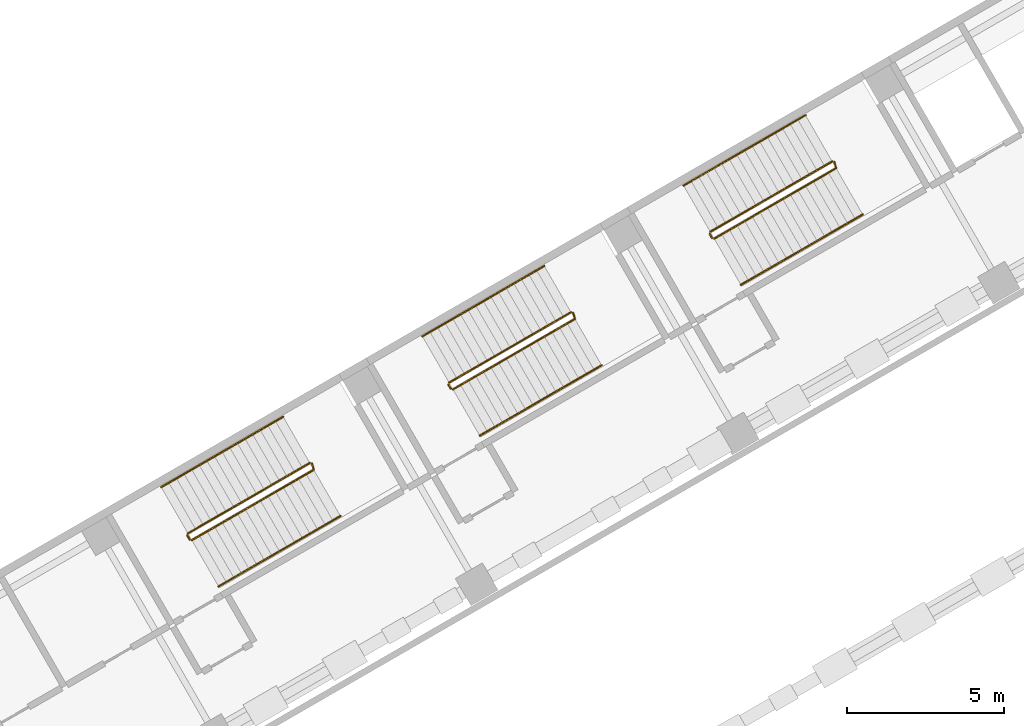
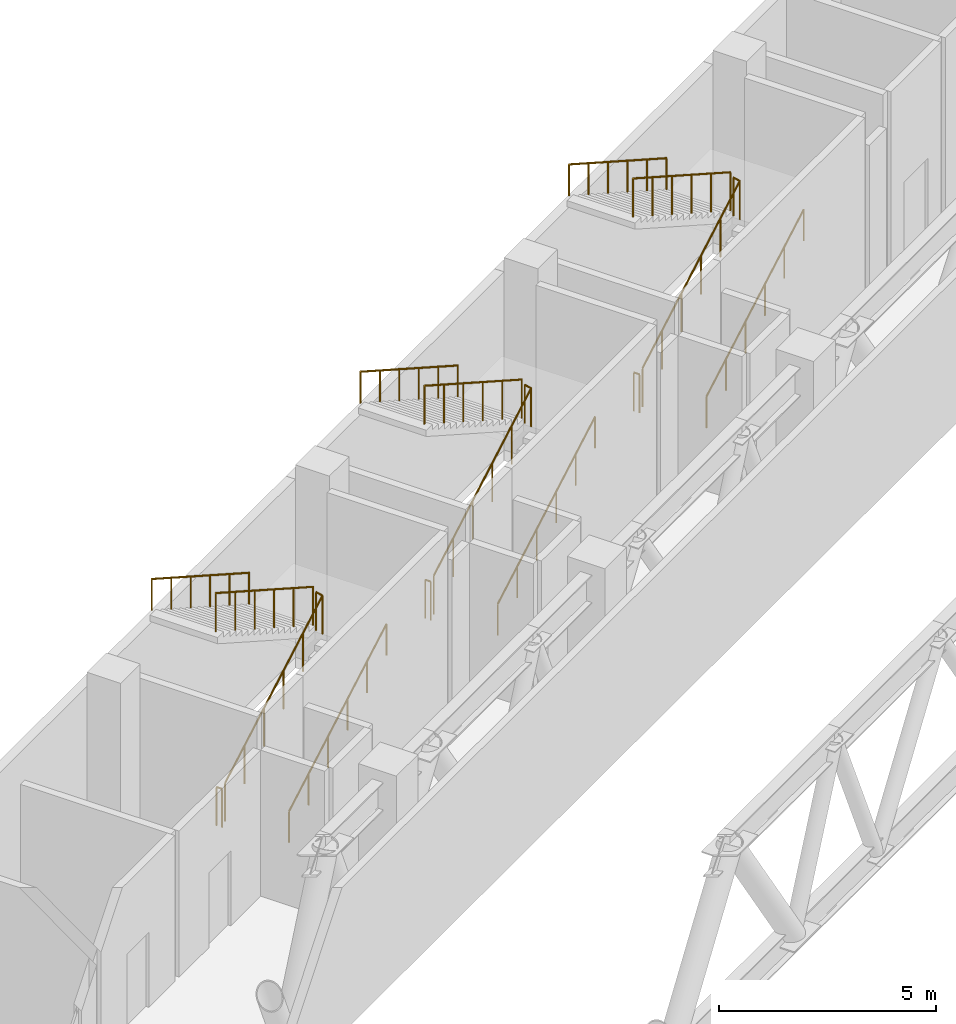
# One storey, part 36 of 37: 15 railings.
"""IFC4 building model written with IfcOpenShell, lengths in metres."""

from ifc_helpers import new_model, si_unit, direction, frame, origin, origin_2d, place, context, subcontext, project, spatial, circle, extrude, material, type_object, element, save


model = new_model("IFC4")

# Units and contexts
model_context = context("Model", 3, precision=1e-05, world=origin(), true_north=direction((0.0, 1.0)))
body_context = subcontext(model_context, "Body", "Model", "MODEL_VIEW")
ifc_project = project(units=[si_unit("LENGTHUNIT", "METRE"), si_unit("AREAUNIT", "SQUARE_METRE"), si_unit("VOLUMEUNIT", "CUBIC_METRE"), si_unit("PLANEANGLEUNIT", "RADIAN"), si_unit("MASSUNIT", "GRAM", prefix="KILO")], contexts=[model_context])

# Site, building, storey
site_placement = place(None, origin())
site = spatial("IfcSite", under=ifc_project, at=site_placement, CompositionType="ELEMENT")
building_placement = place(site_placement, origin())
building = spatial("IfcBuilding", under=site, at=building_placement, Name="Mestral Congress Tower", CompositionType="ELEMENT")
storey_placement = place(building_placement, frame((0.0, 0.0, 16.199951171875)))
storey = spatial("IfcBuildingStorey", under=building, at=storey_placement, Name="L03", CompositionType="ELEMENT", Elevation=16.199951171875)

# Railings
ifc_material_1 = material(Name="Steel balustrade", Category="steel")
railing_type_1 = type_object("IfcRailingType", Name="Podium stair guard 1100", PredefinedType="GUARDRAIL", material=ifc_material_1)
railing_1_placement = place(storey_placement, frame((14.014892578125, 51.681396484375, 0.158935546875)))
element("IfcRailing", 1, at=railing_1_placement, inside=storey, type_object=railing_type_1, Name="L03 PS-E4 stair guard 1", PredefinedType="GUARDRAIL", context=body_context, shape_type="SweptSolid", body=[
    extrude(circle(Radius=0.02392578125, at=origin_2d()), frame((0.0, 0.0, 1.076171875), z_axis=(0.753299937478, 0.434906048726, 0.493351733531), x_axis=(-0.499989762656, 0.866031314237, 0.0)), (0.0, 0.0, 1.0), 5.150634765625),
    extrude(circle(Radius=0.02392578125, at=origin_2d()), frame((3.8798828125, 2.239990234375, 3.6171875), z_axis=(-0.274721127897, 0.961523947641, 0.0), x_axis=(-0.961523947641, -0.274721127897, 0.0)), (0.0, 0.0, 1.0), 0.2060546875),
    extrude(circle(Radius=0.02099609375, at=origin_2d()), origin(), (0.0, 0.0, 1.0), 1.052001953125),
    extrude(circle(Radius=0.02099609375, at=origin_2d()), frame((0.77587890625, 0.447998046875, 0.50830078125)), (0.0, 0.0, 1.0), 1.052001953125),
    extrude(circle(Radius=0.02099609375, at=origin_2d()), frame((1.552001953125, 0.89599609375, 1.016357421875)), (0.0, 0.0, 1.0), 1.052001953125),
    extrude(circle(Radius=0.02099609375, at=origin_2d()), frame((2.327880859375, 1.343994140625, 1.524658203125)), (0.0, 0.0, 1.0), 1.052001953125),
    extrude(circle(Radius=0.02099609375, at=origin_2d()), frame((3.10400390625, 1.7919921875, 2.03271484375)), (0.0, 0.0, 1.0), 1.052001953125),
    extrude(circle(Radius=0.02099609375, at=origin_2d()), frame((3.8798828125, 2.239990234375, 2.541015625)), (0.0, 0.0, 1.0), 1.052001953125),
    extrude(circle(Radius=0.02099609375, at=origin_2d()), frame((3.8232421875, 2.438232421875, 2.541015625)), (0.0, 0.0, 1.0), 1.052001953125),
])
railing_2_placement = place(storey_placement, frame((17.769775390625, 54.137939453125, 2.85888671875)))
element("IfcRailing", 2, at=railing_2_placement, inside=storey, type_object=railing_type_1, Name="L03 PS-E4 stair guard 2", PredefinedType="GUARDRAIL", context=body_context, shape_type="SweptSolid", body=[
    extrude(circle(Radius=0.02392578125, at=origin_2d()), frame((0.0, 0.0, 1.076171875), z_axis=(-0.753282320979, -0.434895878114, 0.493387596216), x_axis=(0.499989762656, -0.866031314237, 0.0)), (0.0, 0.0, 1.0), 5.150634765625),
    extrude(circle(Radius=0.02099609375, at=origin_2d()), origin(), (0.0, 0.0, 1.0), 1.052001953125),
    extrude(circle(Radius=0.02099609375, at=origin_2d()), frame((-0.77587890625, -0.447998046875, 0.50830078125)), (0.0, 0.0, 1.0), 1.052001953125),
    extrude(circle(Radius=0.02099609375, at=origin_2d()), frame((-1.552001953125, -0.89599609375, 1.0166015625)), (0.0, 0.0, 1.0), 1.052001953125),
    extrude(circle(Radius=0.02099609375, at=origin_2d()), frame((-2.327880859375, -1.343994140625, 1.524658203125)), (0.0, 0.0, 1.0), 1.052001953125),
    extrude(circle(Radius=0.02099609375, at=origin_2d()), frame((-3.10400390625, -1.7919921875, 2.032958984375)), (0.0, 0.0, 1.0), 1.052001953125),
    extrude(circle(Radius=0.02099609375, at=origin_2d()), frame((-3.8798828125, -2.239990234375, 2.541259765625)), (0.0, 0.0, 1.0), 1.052001953125),
])
railing_3_placement = place(storey_placement, frame((13.946533203125, 51.69970703125, 0.0)))
element("IfcRailing", 3, at=railing_3_placement, inside=storey, type_object=railing_type_1, Name="L03 PS-E4 stair guard 3", PredefinedType="GUARDRAIL", context=body_context, shape_type="SweptSolid", body=[
    extrude(circle(Radius=0.02392578125, at=origin_2d()), frame((0.0, 0.0, 1.076171875), z_axis=(-0.499816412211, 0.866131372301, 0.0), x_axis=(-0.866131372301, -0.499816412211, 0.0)), (0.0, 0.0, 1.0), 0.14990234375),
    extrude(circle(Radius=0.02099609375, at=origin_2d()), origin(), (0.0, 0.0, 1.0), 1.052001953125),
    extrude(circle(Radius=0.02099609375, at=origin_2d()), frame((-0.074951171875, 0.1298828125, 0.0)), (0.0, 0.0, 1.0), 1.052001953125),
])
railing_4_placement = place(storey_placement, frame((22.328857421875, 56.4814453125, 0.158935546875)))
element("IfcRailing", 4, at=railing_4_placement, inside=storey, type_object=railing_type_1, Name="L03 PS-E5 stair guard 1", PredefinedType="GUARDRAIL", context=body_context, shape_type="SweptSolid", body=[
    extrude(circle(Radius=0.02392578125, at=origin_2d()), frame((0.0, 0.0, 1.076171875), z_axis=(0.7532794335, 0.434921578401, 0.49336935019), x_axis=(-0.500013360201, 0.866017690131, 0.0)), (0.0, 0.0, 1.0), 5.150390625),
    extrude(circle(Radius=0.02392578125, at=origin_2d()), frame((3.879638671875, 2.239990234375, 3.6171875), z_axis=(-0.274721127897, 0.961523947641, 0.0), x_axis=(-0.961523947641, -0.274721127897, 0.0)), (0.0, 0.0, 1.0), 0.2060546875),
    extrude(circle(Radius=0.02099609375, at=origin_2d()), origin(), (0.0, 0.0, 1.0), 1.052001953125),
    extrude(circle(Radius=0.02099609375, at=origin_2d()), frame((0.77587890625, 0.447998046875, 0.50830078125)), (0.0, 0.0, 1.0), 1.052001953125),
    extrude(circle(Radius=0.02099609375, at=origin_2d()), frame((1.5517578125, 0.89599609375, 1.016357421875)), (0.0, 0.0, 1.0), 1.052001953125),
    extrude(circle(Radius=0.02099609375, at=origin_2d()), frame((2.327880859375, 1.343994140625, 1.524658203125)), (0.0, 0.0, 1.0), 1.052001953125),
    extrude(circle(Radius=0.02099609375, at=origin_2d()), frame((3.103759765625, 1.7919921875, 2.03271484375)), (0.0, 0.0, 1.0), 1.052001953125),
    extrude(circle(Radius=0.02099609375, at=origin_2d()), frame((3.879638671875, 2.239990234375, 2.541015625)), (0.0, 0.0, 1.0), 1.052001953125),
    extrude(circle(Radius=0.02099609375, at=origin_2d()), frame((3.822998046875, 2.438232421875, 2.541015625)), (0.0, 0.0, 1.0), 1.052001953125),
])
railing_5_placement = place(storey_placement, frame((26.08349609375, 58.93798828125, 2.85888671875)))
element("IfcRailing", 5, at=railing_5_placement, inside=storey, type_object=railing_type_1, Name="L03 PS-E5 stair guard 2", PredefinedType="GUARDRAIL", context=body_context, shape_type="SweptSolid", body=[
    extrude(circle(Radius=0.02392578125, at=origin_2d()), frame((0.0, 0.0, 1.076171875), z_axis=(-0.753261816223, -0.434911406699, 0.493405213332), x_axis=(0.500013360201, -0.866017690131, 0.0)), (0.0, 0.0, 1.0), 5.150390625),
    extrude(circle(Radius=0.02099609375, at=origin_2d()), origin(), (0.0, 0.0, 1.0), 1.052001953125),
    extrude(circle(Radius=0.02099609375, at=origin_2d()), frame((-0.77587890625, -0.447998046875, 0.50830078125)), (0.0, 0.0, 1.0), 1.052001953125),
    extrude(circle(Radius=0.02099609375, at=origin_2d()), frame((-1.5517578125, -0.89599609375, 1.0166015625)), (0.0, 0.0, 1.0), 1.052001953125),
    extrude(circle(Radius=0.02099609375, at=origin_2d()), frame((-2.327880859375, -1.343994140625, 1.524658203125)), (0.0, 0.0, 1.0), 1.052001953125),
    extrude(circle(Radius=0.02099609375, at=origin_2d()), frame((-3.103759765625, -1.7919921875, 2.032958984375)), (0.0, 0.0, 1.0), 1.052001953125),
    extrude(circle(Radius=0.02099609375, at=origin_2d()), frame((-3.879638671875, -2.239990234375, 2.541259765625)), (0.0, 0.0, 1.0), 1.052001953125),
])
railing_6_placement = place(storey_placement, frame((22.260498046875, 56.499755859375, 0.0)))
element("IfcRailing", 6, at=railing_6_placement, inside=storey, type_object=railing_type_1, Name="L03 PS-E5 stair guard 3", PredefinedType="GUARDRAIL", context=body_context, shape_type="SweptSolid", body=[
    extrude(circle(Radius=0.02392578125, at=origin_2d()), frame((0.0, 0.0, 1.076171875), z_axis=(-0.499816412211, 0.866131372301, 0.0), x_axis=(-0.866131372301, -0.499816412211, 0.0)), (0.0, 0.0, 1.0), 0.14990234375),
    extrude(circle(Radius=0.02099609375, at=origin_2d()), origin(), (0.0, 0.0, 1.0), 1.052001953125),
    extrude(circle(Radius=0.02099609375, at=origin_2d()), frame((-0.074951171875, 0.1298828125, 0.0)), (0.0, 0.0, 1.0), 1.052001953125),
])
railing_7_placement = place(storey_placement, frame((30.642578125, 61.281494140625, 0.158935546875)))
element("IfcRailing", 7, at=railing_7_placement, inside=storey, type_object=railing_type_1, Name="L03 PS-E6 stair guard 1", PredefinedType="GUARDRAIL", context=body_context, shape_type="SweptSolid", body=[
    extrude(circle(Radius=0.02392578125, at=origin_2d()), frame((0.0, 0.0, 1.076171875), z_axis=(0.753299937478, 0.434906048726, 0.493351733531), x_axis=(-0.499989762656, 0.866031314237, 0.0)), (0.0, 0.0, 1.0), 5.150634765625),
    extrude(circle(Radius=0.02392578125, at=origin_2d()), frame((3.8798828125, 2.239990234375, 3.6171875), z_axis=(-0.275815366736, 0.96121063429, 0.0), x_axis=(-0.96121063429, -0.275815366736, 0.0)), (0.0, 0.0, 1.0), 0.206298828125),
    extrude(circle(Radius=0.02099609375, at=origin_2d()), origin(), (0.0, 0.0, 1.0), 1.052001953125),
    extrude(circle(Radius=0.02099609375, at=origin_2d()), frame((0.77587890625, 0.447998046875, 0.50830078125)), (0.0, 0.0, 1.0), 1.052001953125),
    extrude(circle(Radius=0.02099609375, at=origin_2d()), frame((1.552001953125, 0.89599609375, 1.016357421875)), (0.0, 0.0, 1.0), 1.052001953125),
    extrude(circle(Radius=0.02099609375, at=origin_2d()), frame((2.327880859375, 1.343994140625, 1.524658203125)), (0.0, 0.0, 1.0), 1.052001953125),
    extrude(circle(Radius=0.02099609375, at=origin_2d()), frame((3.10400390625, 1.7919921875, 2.03271484375)), (0.0, 0.0, 1.0), 1.052001953125),
    extrude(circle(Radius=0.02099609375, at=origin_2d()), frame((3.8798828125, 2.239990234375, 2.541015625)), (0.0, 0.0, 1.0), 1.052001953125),
    extrude(circle(Radius=0.02099609375, at=origin_2d()), frame((3.822998046875, 2.438232421875, 2.541015625)), (0.0, 0.0, 1.0), 1.052001953125),
])
railing_8_placement = place(storey_placement, frame((34.3974609375, 63.738037109375, 2.85888671875)))
element("IfcRailing", 8, at=railing_8_placement, inside=storey, type_object=railing_type_1, Name="L03 PS-E6 stair guard 2", PredefinedType="GUARDRAIL", context=body_context, shape_type="SweptSolid", body=[
    extrude(circle(Radius=0.02392578125, at=origin_2d()), frame((0.0, 0.0, 1.076171875), z_axis=(-0.753282320979, -0.434895878114, 0.493387596216), x_axis=(0.499989762656, -0.866031314237, 0.0)), (0.0, 0.0, 1.0), 5.150634765625),
    extrude(circle(Radius=0.02099609375, at=origin_2d()), origin(), (0.0, 0.0, 1.0), 1.052001953125),
    extrude(circle(Radius=0.02099609375, at=origin_2d()), frame((-0.77587890625, -0.447998046875, 0.50830078125)), (0.0, 0.0, 1.0), 1.052001953125),
    extrude(circle(Radius=0.02099609375, at=origin_2d()), frame((-1.552001953125, -0.89599609375, 1.0166015625)), (0.0, 0.0, 1.0), 1.052001953125),
    extrude(circle(Radius=0.02099609375, at=origin_2d()), frame((-2.327880859375, -1.343994140625, 1.524658203125)), (0.0, 0.0, 1.0), 1.052001953125),
    extrude(circle(Radius=0.02099609375, at=origin_2d()), frame((-3.10400390625, -1.7919921875, 2.032958984375)), (0.0, 0.0, 1.0), 1.052001953125),
    extrude(circle(Radius=0.02099609375, at=origin_2d()), frame((-3.8798828125, -2.239990234375, 2.541259765625)), (0.0, 0.0, 1.0), 1.052001953125),
])
railing_9_placement = place(storey_placement, frame((30.57421875, 61.2998046875, 0.0)))
element("IfcRailing", 9, at=railing_9_placement, inside=storey, type_object=railing_type_1, Name="L03 PS-E6 stair guard 3", PredefinedType="GUARDRAIL", context=body_context, shape_type="SweptSolid", body=[
    extrude(circle(Radius=0.02392578125, at=origin_2d()), frame((0.0, 0.0, 1.076171875), z_axis=(-0.499816412211, 0.866131372301, 0.0), x_axis=(-0.866131372301, -0.499816412211, 0.0)), (0.0, 0.0, 1.0), 0.14990234375),
    extrude(circle(Radius=0.02099609375, at=origin_2d()), origin(), (0.0, 0.0, 1.0), 1.052001953125),
    extrude(circle(Radius=0.02099609375, at=origin_2d()), frame((-0.074951171875, 0.1298828125, 0.0)), (0.0, 0.0, 1.0), 1.052001953125),
])
ifc_material_2 = material(Name="Steel handrail", Category="steel")
railing_type_2 = type_object("IfcRailingType", Name="Podium stair handrail 900", PredefinedType="HANDRAIL", material=ifc_material_2)
railing_10_placement = place(storey_placement, frame((14.864990234375, 50.209228515625, 0.158935546875)))
element("IfcRailing", 10, at=railing_10_placement, inside=storey, type_object=railing_type_2, Name="L03 PS-E4 stair handrail 1", PredefinedType="HANDRAIL", context=body_context, shape_type="SweptSolid", body=[
    extrude(circle(Radius=0.02392578125, at=origin_2d()), frame((0.0, 0.0, 0.8759765625), z_axis=(0.7532794335, 0.434921578401, 0.49336935019), x_axis=(-0.500013360201, 0.866017690131, 0.0)), (0.0, 0.0, 1.0), 5.150390625),
    extrude(circle(Radius=0.02099609375, at=origin_2d()), origin(), (0.0, 0.0, 1.0), 0.851806640625),
    extrude(circle(Radius=0.02099609375, at=origin_2d()), frame((0.77587890625, 0.447998046875, 0.50830078125)), (0.0, 0.0, 1.0), 0.851806640625),
    extrude(circle(Radius=0.02099609375, at=origin_2d()), frame((1.5517578125, 0.89599609375, 1.016357421875)), (0.0, 0.0, 1.0), 0.851806640625),
    extrude(circle(Radius=0.02099609375, at=origin_2d()), frame((2.327880859375, 1.343994140625, 1.524658203125)), (0.0, 0.0, 1.0), 0.851806640625),
    extrude(circle(Radius=0.02099609375, at=origin_2d()), frame((3.103759765625, 1.7919921875, 2.03271484375)), (0.0, 0.0, 1.0), 0.851806640625),
    extrude(circle(Radius=0.02099609375, at=origin_2d()), frame((3.879638671875, 2.239990234375, 2.541015625)), (0.0, 0.0, 1.0), 0.851806640625),
])
railing_11_placement = place(storey_placement, frame((16.919677734375, 55.610107421875, 2.85888671875)))
element("IfcRailing", 11, at=railing_11_placement, inside=storey, type_object=railing_type_2, Name="L03 PS-E4 stair handrail 2", PredefinedType="HANDRAIL", context=body_context, shape_type="SweptSolid", body=[
    extrude(circle(Radius=0.02392578125, at=origin_2d()), frame((0.0, 0.0, 0.8759765625), z_axis=(-0.753261816223, -0.434911406699, 0.493405213332), x_axis=(0.500013360201, -0.866017690131, 0.0)), (0.0, 0.0, 1.0), 5.150390625),
    extrude(circle(Radius=0.02099609375, at=origin_2d()), origin(), (0.0, 0.0, 1.0), 0.851806640625),
    extrude(circle(Radius=0.02099609375, at=origin_2d()), frame((-0.77587890625, -0.447998046875, 0.50830078125)), (0.0, 0.0, 1.0), 0.851806640625),
    extrude(circle(Radius=0.02099609375, at=origin_2d()), frame((-1.5517578125, -0.89599609375, 1.0166015625)), (0.0, 0.0, 1.0), 0.851806640625),
    extrude(circle(Radius=0.02099609375, at=origin_2d()), frame((-2.327880859375, -1.343994140625, 1.524658203125)), (0.0, 0.0, 1.0), 0.851806640625),
    extrude(circle(Radius=0.02099609375, at=origin_2d()), frame((-3.103759765625, -1.7919921875, 2.032958984375)), (0.0, 0.0, 1.0), 0.851806640625),
    extrude(circle(Radius=0.02099609375, at=origin_2d()), frame((-3.879638671875, -2.239990234375, 2.541259765625)), (0.0, 0.0, 1.0), 0.851806640625),
])
railing_12_placement = place(storey_placement, frame((23.1787109375, 55.00927734375, 0.158935546875)))
element("IfcRailing", 12, at=railing_12_placement, inside=storey, type_object=railing_type_2, Name="L03 PS-E5 stair handrail 1", PredefinedType="HANDRAIL", context=body_context, shape_type="SweptSolid", body=[
    extrude(circle(Radius=0.02392578125, at=origin_2d()), frame((0.0, 0.0, 0.8759765625), z_axis=(0.753299937478, 0.434906048726, 0.493351733531), x_axis=(-0.499989762656, 0.866031314237, 0.0)), (0.0, 0.0, 1.0), 5.150634765625),
    extrude(circle(Radius=0.02099609375, at=origin_2d()), origin(), (0.0, 0.0, 1.0), 0.851806640625),
    extrude(circle(Radius=0.02099609375, at=origin_2d()), frame((0.77587890625, 0.447998046875, 0.50830078125)), (0.0, 0.0, 1.0), 0.851806640625),
    extrude(circle(Radius=0.02099609375, at=origin_2d()), frame((1.552001953125, 0.89599609375, 1.016357421875)), (0.0, 0.0, 1.0), 0.851806640625),
    extrude(circle(Radius=0.02099609375, at=origin_2d()), frame((2.327880859375, 1.343994140625, 1.524658203125)), (0.0, 0.0, 1.0), 0.851806640625),
    extrude(circle(Radius=0.02099609375, at=origin_2d()), frame((3.10400390625, 1.7919921875, 2.03271484375)), (0.0, 0.0, 1.0), 0.851806640625),
    extrude(circle(Radius=0.02099609375, at=origin_2d()), frame((3.8798828125, 2.239990234375, 2.541015625)), (0.0, 0.0, 1.0), 0.851806640625),
])
railing_13_placement = place(storey_placement, frame((25.233642578125, 60.41015625, 2.85888671875)))
element("IfcRailing", 13, at=railing_13_placement, inside=storey, type_object=railing_type_2, Name="L03 PS-E5 stair handrail 2", PredefinedType="HANDRAIL", context=body_context, shape_type="SweptSolid", body=[
    extrude(circle(Radius=0.02392578125, at=origin_2d()), frame((0.0, 0.0, 0.8759765625), z_axis=(-0.753282320979, -0.434895878114, 0.493387596216), x_axis=(0.499989762656, -0.866031314237, 0.0)), (0.0, 0.0, 1.0), 5.150634765625),
    extrude(circle(Radius=0.02099609375, at=origin_2d()), origin(), (0.0, 0.0, 1.0), 0.851806640625),
    extrude(circle(Radius=0.02099609375, at=origin_2d()), frame((-0.77587890625, -0.447998046875, 0.50830078125)), (0.0, 0.0, 1.0), 0.851806640625),
    extrude(circle(Radius=0.02099609375, at=origin_2d()), frame((-1.552001953125, -0.89599609375, 1.0166015625)), (0.0, 0.0, 1.0), 0.851806640625),
    extrude(circle(Radius=0.02099609375, at=origin_2d()), frame((-2.327880859375, -1.343994140625, 1.524658203125)), (0.0, 0.0, 1.0), 0.851806640625),
    extrude(circle(Radius=0.02099609375, at=origin_2d()), frame((-3.10400390625, -1.7919921875, 2.032958984375)), (0.0, 0.0, 1.0), 0.851806640625),
    extrude(circle(Radius=0.02099609375, at=origin_2d()), frame((-3.8798828125, -2.239990234375, 2.541259765625)), (0.0, 0.0, 1.0), 0.851806640625),
])
railing_14_placement = place(storey_placement, frame((31.492431640625, 59.80908203125, 0.158935546875)))
element("IfcRailing", 14, at=railing_14_placement, inside=storey, type_object=railing_type_2, Name="L03 PS-E6 stair handrail 1", PredefinedType="HANDRAIL", context=body_context, shape_type="SweptSolid", body=[
    extrude(circle(Radius=0.02392578125, at=origin_2d()), frame((0.0, 0.0, 0.8759765625), z_axis=(0.75328440778, 0.434944483123, 0.49334156281), x_axis=(-0.500030632641, 0.866007717299, 0.0)), (0.0, 0.0, 1.0), 5.150634765625),
    extrude(circle(Radius=0.02099609375, at=origin_2d()), origin(), (0.0, 0.0, 1.0), 0.851806640625),
    extrude(circle(Radius=0.02099609375, at=origin_2d()), frame((0.77587890625, 0.447998046875, 0.50830078125)), (0.0, 0.0, 1.0), 0.851806640625),
    extrude(circle(Radius=0.02099609375, at=origin_2d()), frame((1.552001953125, 0.89599609375, 1.016357421875)), (0.0, 0.0, 1.0), 0.851806640625),
    extrude(circle(Radius=0.02099609375, at=origin_2d()), frame((2.327880859375, 1.34423828125, 1.524658203125)), (0.0, 0.0, 1.0), 0.851806640625),
    extrude(circle(Radius=0.02099609375, at=origin_2d()), frame((3.10400390625, 1.792236328125, 2.03271484375)), (0.0, 0.0, 1.0), 0.851806640625),
    extrude(circle(Radius=0.02099609375, at=origin_2d()), frame((3.8798828125, 2.240234375, 2.541015625)), (0.0, 0.0, 1.0), 0.851806640625),
])
railing_15_placement = place(storey_placement, frame((33.54736328125, 65.210205078125, 2.85888671875)))
element("IfcRailing", 15, at=railing_15_placement, inside=storey, type_object=railing_type_2, Name="L03 PS-E6 stair handrail 2", PredefinedType="HANDRAIL", context=body_context, shape_type="SweptSolid", body=[
    extrude(circle(Radius=0.02392578125, at=origin_2d()), frame((0.0, 0.0, 0.8759765625), z_axis=(-0.753282320979, -0.434895878114, 0.493387596216), x_axis=(0.499989762656, -0.866031314237, 0.0)), (0.0, 0.0, 1.0), 5.150634765625),
    extrude(circle(Radius=0.02099609375, at=origin_2d()), origin(), (0.0, 0.0, 1.0), 0.851806640625),
    extrude(circle(Radius=0.02099609375, at=origin_2d()), frame((-0.77587890625, -0.447998046875, 0.50830078125)), (0.0, 0.0, 1.0), 0.851806640625),
    extrude(circle(Radius=0.02099609375, at=origin_2d()), frame((-1.552001953125, -0.89599609375, 1.0166015625)), (0.0, 0.0, 1.0), 0.851806640625),
    extrude(circle(Radius=0.02099609375, at=origin_2d()), frame((-2.327880859375, -1.343994140625, 1.524658203125)), (0.0, 0.0, 1.0), 0.851806640625),
    extrude(circle(Radius=0.02099609375, at=origin_2d()), frame((-3.10400390625, -1.7919921875, 2.032958984375)), (0.0, 0.0, 1.0), 0.851806640625),
    extrude(circle(Radius=0.02099609375, at=origin_2d()), frame((-3.8798828125, -2.239990234375, 2.541259765625)), (0.0, 0.0, 1.0), 0.851806640625),
])

save(model, "model.ifc")
